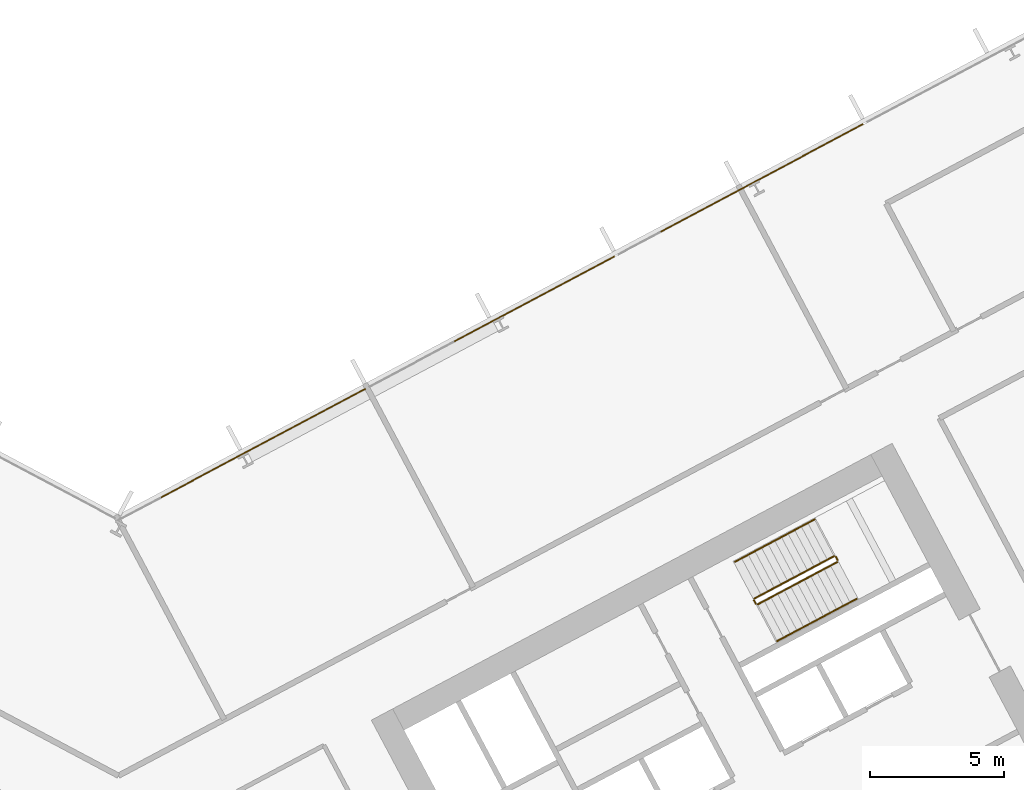
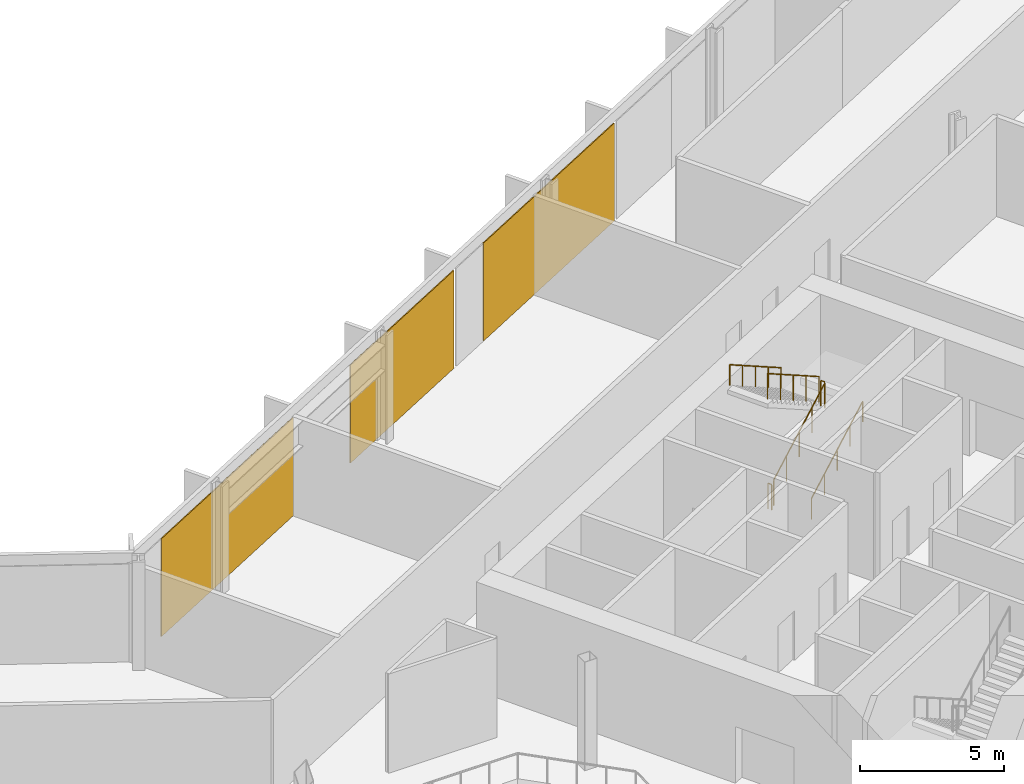
# One storey, part 29 of 31: 6 railings, 3 coverings, 1 element without a shape of its own.
"""IFC4 building model written with IfcOpenShell, lengths in metres."""

from ifc_helpers import new_model, si_unit, direction, frame, origin, origin_2d, place, context, subcontext, project, spatial, polyline, rectangle, outline, extrude, material, layer, layer_set, type_object, element, aggregate, save


model = new_model("IFC4")

# Units and contexts
model_context = context("Model", 3, precision=1e-05, world=origin(), true_north=direction((0.0, 1.0)))
body_context = subcontext(model_context, "Body", "Model", "MODEL_VIEW")
ifc_project = project(units=[si_unit("LENGTHUNIT", "METRE"), si_unit("AREAUNIT", "SQUARE_METRE"), si_unit("VOLUMEUNIT", "CUBIC_METRE"), si_unit("PLANEANGLEUNIT", "RADIAN"), si_unit("MASSUNIT", "GRAM", prefix="KILO")], contexts=[model_context])

# Site, building, storey
site_placement = place(None, origin())
site = spatial("IfcSite", under=ifc_project, at=site_placement, CompositionType="ELEMENT")
building_placement = place(site_placement, origin())
building = spatial("IfcBuilding", under=site, at=building_placement, Name="Cormorant Relay Tower", CompositionType="ELEMENT")
storey_placement = place(building_placement, frame((0.0, 0.0, 103.0)))
storey = spatial("IfcBuildingStorey", under=building, at=storey_placement, Name="L20", CompositionType="ELEMENT", Elevation=103.0)

# Curtain wall, coverings
ifc_material_1 = material(Name="Aluminium 6063-T6 anodised bronze", Category="aluminium")
ifc_layer_1 = layer(ifc_material_1, 0.199951171875)
ifc_layer_set_1 = layer_set([ifc_layer_1], Name="CW1 unitised bronze curtain wall with vertical fins")
curtain_wall_type = type_object("IfcCurtainWallType", Name="CW1 unitised bronze curtain wall with vertical fins", PredefinedType="NOTDEFINED", material=ifc_layer_set_1)
curtain_wall_placement = place(storey_placement, origin())
curtain_wall = element("IfcCurtainWall", 1, at=curtain_wall_placement, inside=storey, type_object=curtain_wall_type, Name="CW1 curtain wall 6", PredefinedType="NOTDEFINED")
ifc_material_2 = material(Name="Pale bronze anodised aluminium insulated panel", Category="aluminium")
ifc_layer_2 = layer(ifc_material_2, 0.0400390625)
ifc_layer_set_2 = layer_set([ifc_layer_2], Name="CW1 pale bronze insulated panel 40")
covering_type = type_object("IfcCoveringType", Name="CW1 pale bronze insulated panel 40", PredefinedType="CLADDING", material=ifc_layer_set_2)
covering_1_placement = place(storey_placement, frame((23.996337890625, 36.565673828125, 0.0), z_axis=(0.0, 0.0, 1.0), x_axis=(-0.882947592859, -0.469471562786, 0.0)))
covering_1 = element("IfcCovering", 2, at=covering_1_placement, type_object=covering_type, Name="CW1 panel S05", PredefinedType="CLADDING", context=body_context, shape_type="SweptSolid", body=[
    extrude(rectangle(XDim=8.565185546875, YDim=0.0400390625, at=origin_2d()), origin(), (0.0, 0.0, 1.0), 4.14990234375),
])
covering_2_placement = place(storey_placement, frame((15.506591796875, 32.051513671875, 0.0), z_axis=(0.0, 0.0, 1.0), x_axis=(-0.882947592859, -0.469471562786, 0.0)))
covering_2 = element("IfcCovering", 3, at=covering_2_placement, type_object=covering_type, Name="CW1 panel S07", PredefinedType="CLADDING", context=body_context, shape_type="SweptSolid", body=[
    extrude(rectangle(XDim=6.765380859375, YDim=0.0400390625, at=origin_2d()), origin(), (0.0, 0.0, 1.0), 4.14990234375),
])
covering_3_placement = place(storey_placement, frame((5.394287109375, 26.6748046875, 0.0), z_axis=(0.0, 0.0, 1.0), x_axis=(-0.882947592859, -0.469471562786, 0.0)))
covering_3 = element("IfcCovering", 4, at=covering_3_placement, type_object=covering_type, Name="CW1 panel S09", PredefinedType="CLADDING", context=body_context, shape_type="SweptSolid", body=[
    extrude(rectangle(XDim=8.640380859375, YDim=0.0400390625, at=origin_2d()), origin(), (0.0, 0.0, 1.0), 4.14990234375),
])
aggregate(curtain_wall, [covering_1, covering_2, covering_3])

# Railings
ifc_material_3 = material(Name="Steel ASTM A572 Grade 50 (Fy 345 MPa)", Category="steel")
railing_type_1 = type_object("IfcRailingType", Name="Stair guard 1100", PredefinedType="GUARDRAIL", material=ifc_material_3)
railing_1_placement = place(storey_placement, frame((23.8408203125, 20.6611328125, 0.177001953125)))
element("IfcRailing", 5, at=railing_1_placement, inside=storey, type_object=railing_type_1, Name="L20 B2 stair guard 1", PredefinedType="GUARDRAIL", context=body_context, shape_type="SweptSolid", body=[
    extrude(outline(polyline([(0.022216796875, 0.00927734375), (0.00927734375, 0.022216796875), (-0.00927734375, 0.022216796875), (-0.022216796875, 0.00927734375), (-0.022216796875, -0.00927734375), (-0.00927734375, -0.022216796875), (0.00927734375, -0.022216796875), (0.022216796875, -0.00927734375), (0.022216796875, 0.00927734375)])), frame((0.0, 0.0, 1.076171875), z_axis=(0.746440668329, 0.396869088057, 0.534154711306), x_axis=(-0.46945269911, 0.882957622595, 0.0)), (0.0, 0.0, 1.0), 3.974609375),
    extrude(outline(polyline([(0.019287109375, 0.008056640625), (0.008056640625, 0.019287109375), (-0.008056640625, 0.019287109375), (-0.019287109375, 0.008056640625), (-0.019287109375, -0.008056640625), (-0.008056640625, -0.019287109375), (0.008056640625, -0.019287109375), (0.019287109375, -0.008056640625), (0.019287109375, 0.008056640625)])), origin(), (0.0, 0.0, 1.0), 1.052001953125),
    extrude(outline(polyline([(0.019287109375, 0.008056640625), (0.008056640625, 0.019287109375), (-0.008056640625, 0.019287109375), (-0.019287109375, 0.008056640625), (-0.019287109375, -0.008056640625), (-0.008056640625, -0.019287109375), (0.008056640625, -0.019287109375), (0.019287109375, -0.008056640625), (0.019287109375, 0.008056640625)])), frame((0.74169921875, 0.394287109375, 0.53076171875)), (0.0, 0.0, 1.0), 1.052001953125),
    extrude(outline(polyline([(0.019287109375, 0.008056640625), (0.008056640625, 0.019287109375), (-0.008056640625, 0.019287109375), (-0.019287109375, 0.008056640625), (-0.019287109375, -0.008056640625), (-0.008056640625, -0.019287109375), (0.008056640625, -0.019287109375), (0.019287109375, -0.008056640625), (0.019287109375, 0.008056640625)])), frame((1.4833984375, 0.78857421875, 1.0615234375)), (0.0, 0.0, 1.0), 1.052001953125),
    extrude(outline(polyline([(0.019287109375, 0.008056640625), (0.008056640625, 0.019287109375), (-0.008056640625, 0.019287109375), (-0.019287109375, 0.008056640625), (-0.019287109375, -0.008056640625), (-0.008056640625, -0.019287109375), (0.008056640625, -0.019287109375), (0.019287109375, -0.008056640625), (0.019287109375, 0.008056640625)])), frame((2.22509765625, 1.18310546875, 1.59228515625)), (0.0, 0.0, 1.0), 1.052001953125),
    extrude(outline(polyline([(0.019287109375, 0.008056640625), (0.008056640625, 0.019287109375), (-0.008056640625, 0.019287109375), (-0.019287109375, 0.008056640625), (-0.019287109375, -0.008056640625), (-0.008056640625, -0.019287109375), (0.008056640625, -0.019287109375), (0.019287109375, -0.008056640625), (0.019287109375, 0.008056640625)])), frame((2.966796875, 1.577392578125, 2.123046875)), (0.0, 0.0, 1.0), 1.052001953125),
])
railing_2_placement = place(storey_placement, frame((26.828125, 22.30615234375, 2.300048828125)))
element("IfcRailing", 6, at=railing_2_placement, inside=storey, type_object=railing_type_1, Name="L20 B2 stair guard 2", PredefinedType="GUARDRAIL", context=body_context, shape_type="SweptSolid", body=[
    extrude(outline(polyline([(0.022216796875, 0.00927734375), (0.00927734375, 0.022216796875), (-0.00927734375, 0.022216796875), (-0.022216796875, 0.00927734375), (-0.022216796875, -0.00927734375), (-0.00927734375, -0.022216796875), (0.00927734375, -0.022216796875), (0.022216796875, -0.00927734375), (0.022216796875, 0.00927734375)])), frame((0.0, 0.0, 1.076171875), z_axis=(-0.469234640946, 0.883073525669, 0.0), x_axis=(-0.883073525669, -0.469234640946, 0.0)), (0.0, 0.0, 1.0), 0.14990234375),
    extrude(outline(polyline([(0.019287109375, 0.008056640625), (0.008056640625, 0.019287109375), (-0.008056640625, 0.019287109375), (-0.019287109375, 0.008056640625), (-0.019287109375, -0.008056640625), (-0.008056640625, -0.019287109375), (0.008056640625, -0.019287109375), (0.019287109375, -0.008056640625), (0.019287109375, 0.008056640625)])), origin(), (0.0, 0.0, 1.0), 1.052001953125),
    extrude(outline(polyline([(0.019287109375, 0.008056640625), (0.008056640625, 0.019287109375), (-0.008056640625, 0.019287109375), (-0.019287109375, 0.008056640625), (-0.019287109375, -0.008056640625), (-0.008056640625, -0.019287109375), (0.008056640625, -0.019287109375), (0.019287109375, -0.008056640625), (0.019287109375, 0.008056640625)])), frame((-0.0703125, 0.13232421875, 0.0)), (0.0, 0.0, 1.0), 1.052001953125),
])
railing_3_placement = place(storey_placement, frame((26.690185546875, 22.459228515625, 2.476806640625)))
element("IfcRailing", 7, at=railing_3_placement, inside=storey, type_object=railing_type_1, Name="L20 B2 stair guard 3", PredefinedType="GUARDRAIL", context=body_context, shape_type="SweptSolid", body=[
    extrude(outline(polyline([(0.022216796875, 0.00927734375), (0.00927734375, 0.022216796875), (-0.00927734375, 0.022216796875), (-0.022216796875, 0.00927734375), (-0.022216796875, -0.00927734375), (-0.00927734375, -0.022216796875), (0.00927734375, -0.022216796875), (0.022216796875, -0.00927734375), (0.022216796875, 0.00927734375)])), frame((0.0, 0.0, 1.076171875), z_axis=(-0.746416176936, -0.396856066424, 0.534198608526), x_axis=(0.46945269911, -0.882957622595, 0.0)), (0.0, 0.0, 1.0), 3.974609375),
    extrude(outline(polyline([(0.019287109375, 0.008056640625), (0.008056640625, 0.019287109375), (-0.008056640625, 0.019287109375), (-0.019287109375, 0.008056640625), (-0.019287109375, -0.008056640625), (-0.008056640625, -0.019287109375), (0.008056640625, -0.019287109375), (0.019287109375, -0.008056640625), (0.019287109375, 0.008056640625)])), origin(), (0.0, 0.0, 1.0), 1.052001953125),
    extrude(outline(polyline([(0.019287109375, 0.008056640625), (0.008056640625, 0.019287109375), (-0.008056640625, 0.019287109375), (-0.019287109375, 0.008056640625), (-0.019287109375, -0.008056640625), (-0.008056640625, -0.019287109375), (0.008056640625, -0.019287109375), (0.019287109375, -0.008056640625), (0.019287109375, 0.008056640625)])), frame((-0.74169921875, -0.394287109375, 0.53076171875)), (0.0, 0.0, 1.0), 1.052001953125),
    extrude(outline(polyline([(0.019287109375, 0.008056640625), (0.008056640625, 0.019287109375), (-0.008056640625, 0.019287109375), (-0.019287109375, 0.008056640625), (-0.019287109375, -0.008056640625), (-0.008056640625, -0.019287109375), (0.008056640625, -0.019287109375), (0.019287109375, -0.008056640625), (0.019287109375, 0.008056640625)])), frame((-1.4833984375, -0.78857421875, 1.0615234375)), (0.0, 0.0, 1.0), 1.052001953125),
    extrude(outline(polyline([(0.019287109375, 0.008056640625), (0.008056640625, 0.019287109375), (-0.008056640625, 0.019287109375), (-0.019287109375, 0.008056640625), (-0.019287109375, -0.008056640625), (-0.008056640625, -0.019287109375), (0.008056640625, -0.019287109375), (0.019287109375, -0.008056640625), (0.019287109375, 0.008056640625)])), frame((-2.22509765625, -1.18310546875, 1.592529296875)), (0.0, 0.0, 1.0), 1.052001953125),
    extrude(outline(polyline([(0.019287109375, 0.008056640625), (0.008056640625, 0.019287109375), (-0.008056640625, 0.019287109375), (-0.019287109375, 0.008056640625), (-0.019287109375, -0.008056640625), (-0.008056640625, -0.019287109375), (0.008056640625, -0.019287109375), (0.019287109375, -0.008056640625), (0.019287109375, 0.008056640625)])), frame((-2.966796875, -1.577392578125, 2.123291015625)), (0.0, 0.0, 1.0), 1.052001953125),
])
railing_4_placement = place(storey_placement, frame((23.773193359375, 20.681640625, 0.0)))
element("IfcRailing", 8, at=railing_4_placement, inside=storey, type_object=railing_type_1, Name="L20 B2 stair guard 4", PredefinedType="GUARDRAIL", context=body_context, shape_type="SweptSolid", body=[
    extrude(outline(polyline([(0.022216796875, 0.00927734375), (0.00927734375, 0.022216796875), (-0.00927734375, 0.022216796875), (-0.022216796875, 0.00927734375), (-0.022216796875, -0.00927734375), (-0.00927734375, -0.022216796875), (0.00927734375, -0.022216796875), (0.022216796875, -0.00927734375), (0.022216796875, 0.00927734375)])), frame((0.0, 0.0, 1.076171875), z_axis=(-0.46856034887, 0.8834314911, 0.0), x_axis=(-0.8834314911, -0.46856034887, 0.0)), (0.0, 0.0, 1.0), 0.150146484375),
    extrude(outline(polyline([(0.019287109375, 0.008056640625), (0.008056640625, 0.019287109375), (-0.008056640625, 0.019287109375), (-0.019287109375, 0.008056640625), (-0.019287109375, -0.008056640625), (-0.008056640625, -0.019287109375), (0.008056640625, -0.019287109375), (0.019287109375, -0.008056640625), (0.019287109375, 0.008056640625)])), origin(), (0.0, 0.0, 1.0), 1.052001953125),
    extrude(outline(polyline([(0.019287109375, 0.008056640625), (0.008056640625, 0.019287109375), (-0.008056640625, 0.019287109375), (-0.019287109375, 0.008056640625), (-0.019287109375, -0.008056640625), (-0.008056640625, -0.019287109375), (0.008056640625, -0.019287109375), (0.019287109375, -0.008056640625), (0.019287109375, 0.008056640625)])), frame((-0.0703125, 0.132568359375, 0.0)), (0.0, 0.0, 1.0), 1.052001953125),
])
ifc_material_4 = material(Name="Steel ASTM A572 Grade 50 (Fy 345 MPa)", Category="steel")
railing_type_2 = type_object("IfcRailingType", Name="Stair handrail 900", PredefinedType="HANDRAIL", material=ifc_material_4)
railing_5_placement = place(storey_placement, frame((24.568603515625, 19.29248046875, 0.177001953125)))
element("IfcRailing", 9, at=railing_5_placement, inside=storey, type_object=railing_type_2, Name="L20 B2 stair handrail 1", PredefinedType="HANDRAIL", context=body_context, shape_type="SweptSolid", body=[
    extrude(outline(polyline([(0.022216796875, 0.00927734375), (0.00927734375, 0.022216796875), (-0.00927734375, 0.022216796875), (-0.022216796875, 0.00927734375), (-0.022216796875, -0.00927734375), (-0.00927734375, -0.022216796875), (0.00927734375, -0.022216796875), (0.022216796875, -0.00927734375), (0.022216796875, 0.00927734375)])), frame((0.0, 0.0, 0.8759765625), z_axis=(0.746413465702, 0.396887285154, 0.534179203172), x_axis=(-0.469482818608, 0.88294160794, 0.0)), (0.0, 0.0, 1.0), 3.974365234375),
    extrude(outline(polyline([(0.019287109375, 0.008056640625), (0.008056640625, 0.019287109375), (-0.008056640625, 0.019287109375), (-0.019287109375, 0.008056640625), (-0.019287109375, -0.008056640625), (-0.008056640625, -0.019287109375), (0.008056640625, -0.019287109375), (0.019287109375, -0.008056640625), (0.019287109375, 0.008056640625)])), origin(), (0.0, 0.0, 1.0), 0.851806640625),
    extrude(outline(polyline([(0.019287109375, 0.008056640625), (0.008056640625, 0.019287109375), (-0.008056640625, 0.019287109375), (-0.019287109375, 0.008056640625), (-0.019287109375, -0.008056640625), (-0.008056640625, -0.019287109375), (0.008056640625, -0.019287109375), (0.019287109375, -0.008056640625), (0.019287109375, 0.008056640625)])), frame((0.74169921875, 0.394287109375, 0.53076171875)), (0.0, 0.0, 1.0), 0.851806640625),
    extrude(outline(polyline([(0.019287109375, 0.008056640625), (0.008056640625, 0.019287109375), (-0.008056640625, 0.019287109375), (-0.019287109375, 0.008056640625), (-0.019287109375, -0.008056640625), (-0.008056640625, -0.019287109375), (0.008056640625, -0.019287109375), (0.019287109375, -0.008056640625), (0.019287109375, 0.008056640625)])), frame((1.4833984375, 0.78857421875, 1.0615234375)), (0.0, 0.0, 1.0), 0.851806640625),
    extrude(outline(polyline([(0.019287109375, 0.008056640625), (0.008056640625, 0.019287109375), (-0.008056640625, 0.019287109375), (-0.019287109375, 0.008056640625), (-0.019287109375, -0.008056640625), (-0.008056640625, -0.019287109375), (0.008056640625, -0.019287109375), (0.019287109375, -0.008056640625), (0.019287109375, 0.008056640625)])), frame((2.224853515625, 1.18310546875, 1.59228515625)), (0.0, 0.0, 1.0), 0.851806640625),
    extrude(outline(polyline([(0.019287109375, 0.008056640625), (0.008056640625, 0.019287109375), (-0.008056640625, 0.019287109375), (-0.019287109375, 0.008056640625), (-0.019287109375, -0.008056640625), (-0.008056640625, -0.019287109375), (0.008056640625, -0.019287109375), (0.019287109375, -0.008056640625), (0.019287109375, 0.008056640625)])), frame((2.966552734375, 1.577392578125, 2.123046875)), (0.0, 0.0, 1.0), 0.851806640625),
])
railing_6_placement = place(storey_placement, frame((25.96240234375, 23.827880859375, 2.476806640625)))
element("IfcRailing", 10, at=railing_6_placement, inside=storey, type_object=railing_type_2, Name="L20 B2 stair handrail 2", PredefinedType="HANDRAIL", context=body_context, shape_type="SweptSolid", body=[
    extrude(outline(polyline([(0.022216796875, 0.00927734375), (0.00927734375, 0.022216796875), (-0.00927734375, 0.022216796875), (-0.022216796875, 0.00927734375), (-0.022216796875, -0.00927734375), (-0.00927734375, -0.022216796875), (0.00927734375, -0.022216796875), (0.022216796875, -0.00927734375), (0.022216796875, 0.00927734375)])), frame((0.0, 0.0, 0.8759765625), z_axis=(-0.746370776406, -0.396926010792, 0.534210076734), x_axis=(0.469539463624, -0.882911485994, 0.0)), (0.0, 0.0, 1.0), 3.974609375),
    extrude(outline(polyline([(0.019287109375, 0.008056640625), (0.008056640625, 0.019287109375), (-0.008056640625, 0.019287109375), (-0.019287109375, 0.008056640625), (-0.019287109375, -0.008056640625), (-0.008056640625, -0.019287109375), (0.008056640625, -0.019287109375), (0.019287109375, -0.008056640625), (0.019287109375, 0.008056640625)])), origin(), (0.0, 0.0, 1.0), 0.851806640625),
    extrude(outline(polyline([(0.019287109375, 0.008056640625), (0.008056640625, 0.019287109375), (-0.008056640625, 0.019287109375), (-0.019287109375, 0.008056640625), (-0.019287109375, -0.008056640625), (-0.008056640625, -0.019287109375), (0.008056640625, -0.019287109375), (0.019287109375, -0.008056640625), (0.019287109375, 0.008056640625)])), frame((-0.74169921875, -0.39453125, 0.53076171875)), (0.0, 0.0, 1.0), 0.851806640625),
    extrude(outline(polyline([(0.019287109375, 0.008056640625), (0.008056640625, 0.019287109375), (-0.008056640625, 0.019287109375), (-0.019287109375, 0.008056640625), (-0.019287109375, -0.008056640625), (-0.008056640625, -0.019287109375), (0.008056640625, -0.019287109375), (0.019287109375, -0.008056640625), (0.019287109375, 0.008056640625)])), frame((-1.4833984375, -0.788818359375, 1.0615234375)), (0.0, 0.0, 1.0), 0.851806640625),
    extrude(outline(polyline([(0.019287109375, 0.008056640625), (0.008056640625, 0.019287109375), (-0.008056640625, 0.019287109375), (-0.019287109375, 0.008056640625), (-0.019287109375, -0.008056640625), (-0.008056640625, -0.019287109375), (0.008056640625, -0.019287109375), (0.019287109375, -0.008056640625), (0.019287109375, 0.008056640625)])), frame((-2.224853515625, -1.18310546875, 1.592529296875)), (0.0, 0.0, 1.0), 0.851806640625),
    extrude(outline(polyline([(0.019287109375, 0.008056640625), (0.008056640625, 0.019287109375), (-0.008056640625, 0.019287109375), (-0.019287109375, 0.008056640625), (-0.019287109375, -0.008056640625), (-0.008056640625, -0.019287109375), (0.008056640625, -0.019287109375), (0.019287109375, -0.008056640625), (0.019287109375, 0.008056640625)])), frame((-2.966552734375, -1.57763671875, 2.123291015625)), (0.0, 0.0, 1.0), 0.851806640625),
])

save(model, "model.ifc")
